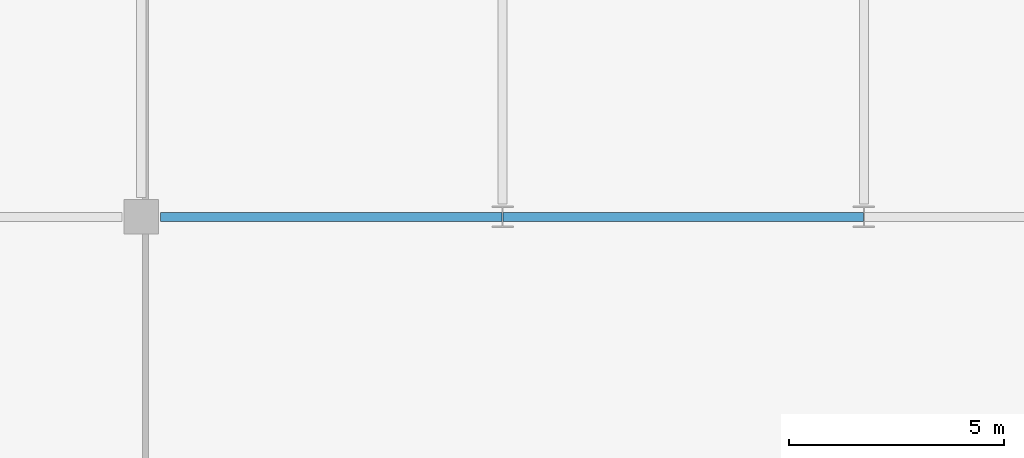
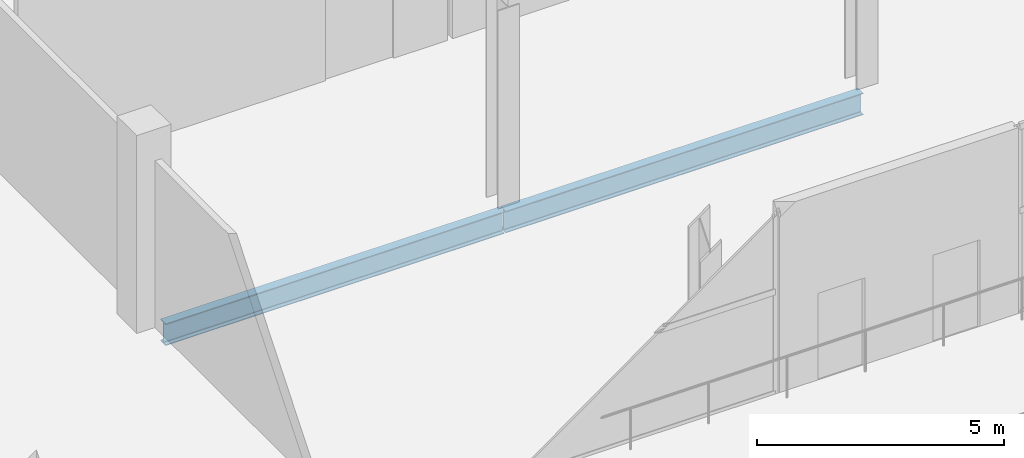
# One storey, part 5 of 28: 2 beams.
"""IFC4 building model written with IfcOpenShell, lengths in metres."""

from ifc_helpers import new_model, si_unit, direction, frame, origin, origin_2d, place, context, subcontext, project, spatial, i_section, extrude, material, material_profile, profile_set, type_object, element, save


model = new_model("IFC4")

# Units and contexts
model_context = context("Model", 3, precision=1e-05, world=origin(), true_north=direction((0.0, 1.0)))
body_context = subcontext(model_context, "Body", "Model", "MODEL_VIEW")
ifc_project = project(units=[si_unit("LENGTHUNIT", "METRE"), si_unit("AREAUNIT", "SQUARE_METRE"), si_unit("VOLUMEUNIT", "CUBIC_METRE"), si_unit("PLANEANGLEUNIT", "RADIAN"), si_unit("MASSUNIT", "GRAM", prefix="KILO")], contexts=[model_context])

# Site, building, storey
site_placement = place(None, origin())
site = spatial("IfcSite", under=ifc_project, at=site_placement, CompositionType="ELEMENT")
building_placement = place(site_placement, origin())
building = spatial("IfcBuilding", under=site, at=building_placement, Name="Maruvema Waterfront Hotel and Observation Tower", CompositionType="ELEMENT")
storey_placement = place(building_placement, frame((0.0, 0.0, 234.5)))
storey = spatial("IfcBuildingStorey", under=building, at=storey_placement, Name="L57", CompositionType="ELEMENT", Elevation=234.5)

# Beams
ifc_material = material(Name="Steel ASTM A572 Grade 50", Category="steel")
ifc_material_profile = material_profile(ifc_material, i_section(OverallWidth=0.2109375, OverallDepth=0.5390625, WebThickness=0.01171875, FlangeThickness=0.018798828125, FilletRadius=0.014892578125, at=origin_2d()), Name="W530x109.0")
ifc_profile_set = profile_set([ifc_material_profile], Name="Steel ASTM A572 Grade 50")
beam_type = type_object("IfcBeamType", Name="Primary Floor Girder W530x109.0", PredefinedType="BEAM", material=ifc_profile_set)
beam_1_placement = place(storey_placement, frame((25.64990234375, 18.0, -0.509521484375), z_axis=(1.0, 0.0, 0.0), x_axis=(0.0, 1.0, 0.0)))
element("IfcBeam", 1, at=beam_1_placement, inside=storey, type_object=beam_type, Name="L57 Floor Girder EW-02", PredefinedType="BEAM", context=body_context, shape_type="SweptSolid", body=[
    extrude(i_section(OverallWidth=0.2109375, OverallDepth=0.5390625, WebThickness=0.01171875, FlangeThickness=0.018798828125, FilletRadius=0.014892578125, at=origin_2d()), origin(), (0.0, 0.0, 1.0), 7.9375),
])
beam_2_placement = place(storey_placement, frame((33.612548828125, 18.0, -0.509521484375), z_axis=(1.0, 0.0, 0.0), x_axis=(0.0, 1.0, 0.0)))
element("IfcBeam", 2, at=beam_2_placement, inside=storey, type_object=beam_type, Name="L57 Floor Girder EW-03", PredefinedType="BEAM", context=body_context, shape_type="SweptSolid", body=[
    extrude(i_section(OverallWidth=0.2109375, OverallDepth=0.5390625, WebThickness=0.01171875, FlangeThickness=0.018798828125, FilletRadius=0.014892578125, at=origin_2d()), origin(), (0.0, 0.0, 1.0), 8.375),
])

save(model, "model.ifc")
